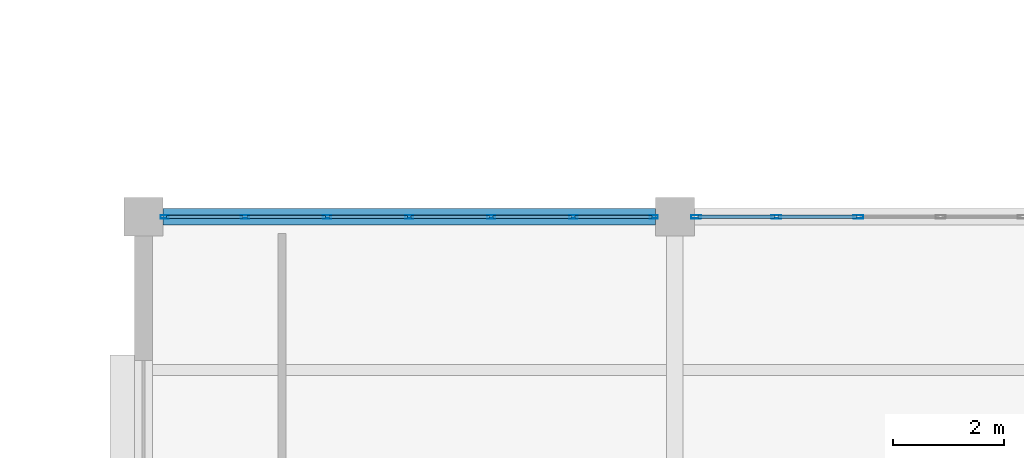
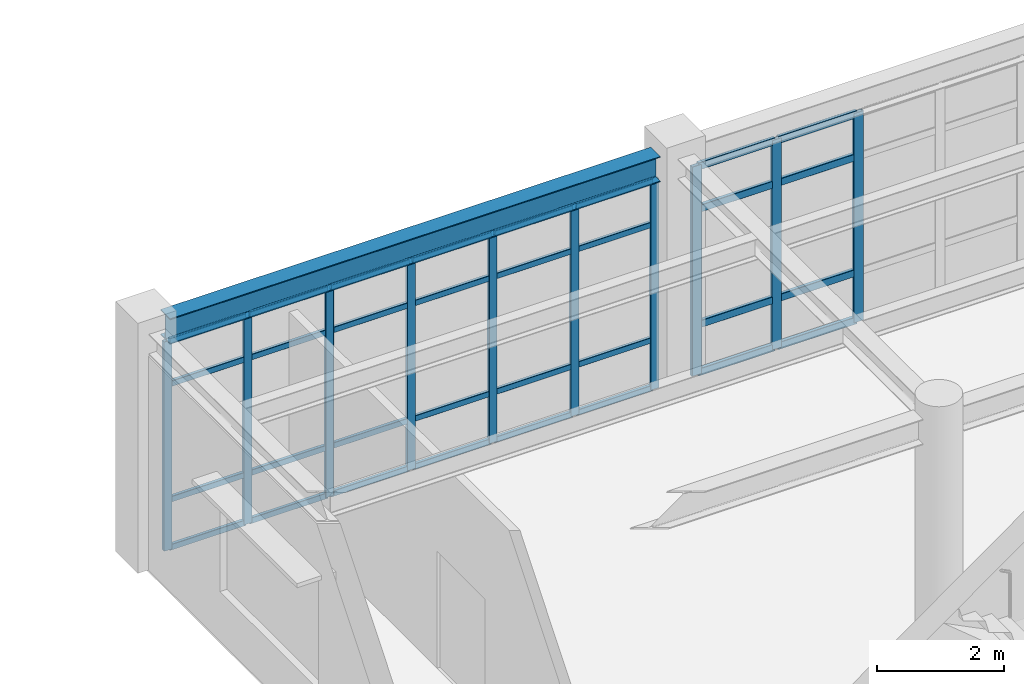
# One storey, part 61 of 98: 42 members, 1 beam, 2 elements without a shape of their own.
"""IFC4 building model written with IfcOpenShell, lengths in metres."""

from ifc_helpers import new_model, si_unit, direction, frame, origin, origin_2d, place, context, subcontext, project, spatial, hollow_rectangle, i_section, extrude, material, material_profile, profile_set, type_object, element, aggregate, save


model = new_model("IFC4")

# Units and contexts
model_context = context("Model", 3, precision=1e-05, world=origin(), true_north=direction((0.0, 1.0)))
body_context = subcontext(model_context, "Body", "Model", "MODEL_VIEW")
ifc_project = project(units=[si_unit("LENGTHUNIT", "METRE"), si_unit("AREAUNIT", "SQUARE_METRE"), si_unit("VOLUMEUNIT", "CUBIC_METRE"), si_unit("PLANEANGLEUNIT", "RADIAN"), si_unit("MASSUNIT", "GRAM", prefix="KILO")], contexts=[model_context])

# Site, building, storey
site_placement = place(None, origin())
site = spatial("IfcSite", under=ifc_project, at=site_placement, CompositionType="ELEMENT")
building_placement = place(site_placement, origin())
building = spatial("IfcBuilding", under=site, at=building_placement, Name="Canglan Escarpment Cableway Terminal", CompositionType="ELEMENT")
storey_placement = place(building_placement, frame((0.0, 0.0, 9.60009765625)))
storey = spatial("IfcBuildingStorey", under=building, at=storey_placement, Name="L02", CompositionType="ELEMENT", Elevation=9.60009765625)

# Beam
ifc_material_1 = material(Name="Steel Q355B", Category="steel")
ifc_material_profile_1 = material_profile(ifc_material_1, i_section(OverallWidth=0.300048828125, OverallDepth=0.488037109375, WebThickness=0.010986328125, FlangeThickness=0.01806640625, FilletRadius=0.02587890625, at=origin_2d()), Name="HM 488x300x11x18")
ifc_profile_set_1 = profile_set([ifc_material_profile_1], Name="Steel Q355B")
beam_type = type_object("IfcBeamType", Name="BM-HM488", PredefinedType="BEAM", material=ifc_profile_set_1)
beam_placement = place(storey_placement, frame((147.550048828125, 33.10009765625, 4.27587890625), z_axis=(1.0, 0.0, 0.0), x_axis=(0.0, 1.0, 0.0)))
element("IfcBeam", 1, at=beam_placement, inside=storey, type_object=beam_type, Name="Primary structural girder B-09", PredefinedType="BEAM", context=body_context, shape_type="SweptSolid", body=[
    extrude(i_section(OverallWidth=0.300048828125, OverallDepth=0.488037109375, WebThickness=0.010986328125, FlangeThickness=0.01806640625, FilletRadius=0.02587890625, at=origin_2d()), origin(), (0.0, 0.0, 1.0), 8.89990234375),
])

# Curtain wall, members
ifc_material_2 = material(Name="Anodized bronze aluminium and Low-E double glazing", Category="aluminium")
curtain_wall_type = type_object("IfcCurtainWallType", Name="CW-BAY-8900x4025", PredefinedType="NOTDEFINED", material=ifc_material_2)
curtain_wall_1_placement = place(storey_placement, origin())
curtain_wall_1 = element("IfcCurtainWall", 2, at=curtain_wall_1_placement, inside=storey, type_object=curtain_wall_type, Name="Classical bay-between-piers glazed curtain wall CW-28", PredefinedType="NOTDEFINED")
ifc_material_3 = material(Name="Thermally broken anodized aluminium 6063-T6", Category="aluminium")
ifc_material_profile_2 = material_profile(ifc_material_3, hollow_rectangle(XDim=0.06494140625, YDim=0.14990234375, WallThickness=0.00341796875, InnerFilletRadius=0.00341796875, OuterFilletRadius=0.007080078125, at=origin_2d()), Name="ALU-MULL 65x150x3.5")
ifc_profile_set_2 = profile_set([ifc_material_profile_2], Name="Thermally broken anodized aluminium 6063-T6")
member_type_1 = type_object("IfcMemberType", Name="CWM-02", PredefinedType="MULLION", material=ifc_profile_set_2)
member_1_placement = place(storey_placement, frame((156.41748046875, 33.10009765625, 0.0), z_axis=(0.0, 0.0, 1.0), x_axis=(0.0, -1.0, 0.0)))
member_1 = element("IfcMember", 3, at=member_1_placement, type_object=member_type_1, Name="CW-28 mullion 1", PredefinedType="MULLION", context=body_context, shape_type="SweptSolid", body=[
    extrude(hollow_rectangle(XDim=0.06494140625, YDim=0.14990234375, WallThickness=0.00341796875, InnerFilletRadius=0.00341796875, OuterFilletRadius=0.007080078125, at=origin_2d()), origin(), (0.0, 0.0, 1.0), 4.016845703125),
])
member_2_placement = place(storey_placement, frame((154.966552734375, 33.10009765625, 0.0), z_axis=(0.0, 0.0, 1.0), x_axis=(0.0, -1.0, 0.0)))
member_2 = element("IfcMember", 4, at=member_2_placement, type_object=member_type_1, Name="CW-28 mullion 2", PredefinedType="MULLION", context=body_context, shape_type="SweptSolid", body=[
    extrude(hollow_rectangle(XDim=0.06494140625, YDim=0.14990234375, WallThickness=0.00341796875, InnerFilletRadius=0.00341796875, OuterFilletRadius=0.007080078125, at=origin_2d()), origin(), (0.0, 0.0, 1.0), 4.016845703125),
])
member_3_placement = place(storey_placement, frame((153.4833984375, 33.10009765625, 0.0), z_axis=(0.0, 0.0, 1.0), x_axis=(0.0, -1.0, 0.0)))
member_3 = element("IfcMember", 5, at=member_3_placement, type_object=member_type_1, Name="CW-28 mullion 3", PredefinedType="MULLION", context=body_context, shape_type="SweptSolid", body=[
    extrude(hollow_rectangle(XDim=0.06494140625, YDim=0.14990234375, WallThickness=0.00341796875, InnerFilletRadius=0.00341796875, OuterFilletRadius=0.007080078125, at=origin_2d()), origin(), (0.0, 0.0, 1.0), 4.016845703125),
])
member_4_placement = place(storey_placement, frame((152.0, 33.10009765625, 0.0), z_axis=(0.0, 0.0, 1.0), x_axis=(0.0, -1.0, 0.0)))
member_4 = element("IfcMember", 6, at=member_4_placement, type_object=member_type_1, Name="CW-28 mullion 4", PredefinedType="MULLION", context=body_context, shape_type="SweptSolid", body=[
    extrude(hollow_rectangle(XDim=0.06494140625, YDim=0.14990234375, WallThickness=0.00341796875, InnerFilletRadius=0.00341796875, OuterFilletRadius=0.007080078125, at=origin_2d()), origin(), (0.0, 0.0, 1.0), 4.016845703125),
])
member_5_placement = place(storey_placement, frame((150.5166015625, 33.10009765625, 0.0), z_axis=(0.0, 0.0, 1.0), x_axis=(0.0, -1.0, 0.0)))
member_5 = element("IfcMember", 7, at=member_5_placement, type_object=member_type_1, Name="CW-28 mullion 5", PredefinedType="MULLION", context=body_context, shape_type="SweptSolid", body=[
    extrude(hollow_rectangle(XDim=0.06494140625, YDim=0.14990234375, WallThickness=0.00341796875, InnerFilletRadius=0.00341796875, OuterFilletRadius=0.007080078125, at=origin_2d()), origin(), (0.0, 0.0, 1.0), 4.016845703125),
])
member_6_placement = place(storey_placement, frame((149.033447265625, 33.10009765625, 0.0), z_axis=(0.0, 0.0, 1.0), x_axis=(0.0, -1.0, 0.0)))
member_6 = element("IfcMember", 8, at=member_6_placement, type_object=member_type_1, Name="CW-28 mullion 6", PredefinedType="MULLION", context=body_context, shape_type="SweptSolid", body=[
    extrude(hollow_rectangle(XDim=0.06494140625, YDim=0.14990234375, WallThickness=0.00341796875, InnerFilletRadius=0.00341796875, OuterFilletRadius=0.007080078125, at=origin_2d()), origin(), (0.0, 0.0, 1.0), 4.016845703125),
])
member_7_placement = place(storey_placement, frame((147.58251953125, 33.10009765625, 0.0), z_axis=(0.0, 0.0, 1.0), x_axis=(0.0, -1.0, 0.0)))
member_7 = element("IfcMember", 9, at=member_7_placement, type_object=member_type_1, Name="CW-28 mullion 7", PredefinedType="MULLION", context=body_context, shape_type="SweptSolid", body=[
    extrude(hollow_rectangle(XDim=0.06494140625, YDim=0.14990234375, WallThickness=0.00341796875, InnerFilletRadius=0.00341796875, OuterFilletRadius=0.007080078125, at=origin_2d()), origin(), (0.0, 0.0, 1.0), 4.016845703125),
])

curtain_wall_2_placement = place(storey_placement, origin())
curtain_wall_2 = element("IfcCurtainWall", 10, at=curtain_wall_2_placement, inside=storey, type_object=curtain_wall_type, Name="Classical bay-between-piers glazed curtain wall CW-28", PredefinedType="NOTDEFINED")
ifc_material_profile_3 = material_profile(ifc_material_3, hollow_rectangle(XDim=0.06494140625, YDim=0.179931640625, WallThickness=0.00390625, InnerFilletRadius=0.00390625, OuterFilletRadius=0.008056640625, at=origin_2d()), Name="ALU-MULL 65x180x4")
ifc_profile_set_3 = profile_set([ifc_material_profile_3], Name="Thermally broken anodized aluminium 6063-T6")
member_type_2 = type_object("IfcMemberType", Name="CWM-03", PredefinedType="MULLION", material=ifc_profile_set_3)
member_8_placement = place(storey_placement, frame((160.11669921875, 33.10009765625, 0.0), z_axis=(0.0, 0.0, 1.0), x_axis=(0.0, -1.0, 0.0)))
member_8 = element("IfcMember", 11, at=member_8_placement, type_object=member_type_2, Name="CW-28 mullion 5", PredefinedType="MULLION", context=body_context, shape_type="SweptSolid", body=[
    extrude(hollow_rectangle(XDim=0.06494140625, YDim=0.179931640625, WallThickness=0.00390625, InnerFilletRadius=0.00390625, OuterFilletRadius=0.008056640625, at=origin_2d()), origin(), (0.0, 0.0, 1.0), 4.016845703125),
])
member_9_placement = place(storey_placement, frame((158.63330078125, 33.10009765625, 0.0), z_axis=(0.0, 0.0, 1.0), x_axis=(0.0, -1.0, 0.0)))
member_9 = element("IfcMember", 12, at=member_9_placement, type_object=member_type_2, Name="CW-28 mullion 6", PredefinedType="MULLION", context=body_context, shape_type="SweptSolid", body=[
    extrude(hollow_rectangle(XDim=0.06494140625, YDim=0.179931640625, WallThickness=0.00390625, InnerFilletRadius=0.00390625, OuterFilletRadius=0.008056640625, at=origin_2d()), origin(), (0.0, 0.0, 1.0), 4.016845703125),
])
member_10_placement = place(storey_placement, frame((157.1826171875, 33.10009765625, 0.0), z_axis=(0.0, 0.0, 1.0), x_axis=(0.0, -1.0, 0.0)))
member_10 = element("IfcMember", 13, at=member_10_placement, type_object=member_type_2, Name="CW-28 mullion 7", PredefinedType="MULLION", context=body_context, shape_type="SweptSolid", body=[
    extrude(hollow_rectangle(XDim=0.06494140625, YDim=0.179931640625, WallThickness=0.00390625, InnerFilletRadius=0.00390625, OuterFilletRadius=0.008056640625, at=origin_2d()), origin(), (0.0, 0.0, 1.0), 4.016845703125),
])

# Member
ifc_material_profile_4 = material_profile(ifc_material_3, hollow_rectangle(XDim=0.06005859375, YDim=0.110107421875, WallThickness=0.0029296875, InnerFilletRadius=0.0029296875, OuterFilletRadius=0.006103515625, at=origin_2d()), Name="ALU-TRAN 60x110x3")
ifc_profile_set_4 = profile_set([ifc_material_profile_4], Name="Thermally broken anodized aluminium 6063-T6")
member_type_3 = type_object("IfcMemberType", Name="CWT-02", PredefinedType="USERDEFINED", material=ifc_profile_set_4)
member_11_placement = place(storey_placement, frame((156.385009765625, 33.10009765625, 0.02978515625), z_axis=(-1.0, 0.0, 0.0), x_axis=(0.0, -1.0, 0.0)))
member_11 = element("IfcMember", 14, at=member_11_placement, type_object=member_type_3, Name="CW-28 transom 1.1", ObjectType="TRANSOM", PredefinedType="USERDEFINED", context=body_context, shape_type="SweptSolid", body=[
    extrude(hollow_rectangle(XDim=0.06005859375, YDim=0.110107421875, WallThickness=0.0029296875, InnerFilletRadius=0.0029296875, OuterFilletRadius=0.006103515625, at=origin_2d()), origin(), (0.0, 0.0, 1.0), 1.3857421875),
])

member_12_placement = place(storey_placement, frame((156.385009765625, 33.10009765625, 0.949951171875), z_axis=(-1.0, 0.0, 0.0), x_axis=(0.0, -1.0, 0.0)))
member_12 = element("IfcMember", 15, at=member_12_placement, type_object=member_type_3, Name="CW-28 transom 1.2", ObjectType="TRANSOM", PredefinedType="USERDEFINED", context=body_context, shape_type="SweptSolid", body=[
    extrude(hollow_rectangle(XDim=0.06005859375, YDim=0.110107421875, WallThickness=0.0029296875, InnerFilletRadius=0.0029296875, OuterFilletRadius=0.006103515625, at=origin_2d()), origin(), (0.0, 0.0, 1.0), 1.3857421875),
])

member_13_placement = place(storey_placement, frame((156.385009765625, 33.10009765625, 3.1669921875), z_axis=(-1.0, 0.0, 0.0), x_axis=(0.0, -1.0, 0.0)))
member_13 = element("IfcMember", 16, at=member_13_placement, type_object=member_type_3, Name="CW-28 transom 1.3", ObjectType="TRANSOM", PredefinedType="USERDEFINED", context=body_context, shape_type="SweptSolid", body=[
    extrude(hollow_rectangle(XDim=0.06005859375, YDim=0.110107421875, WallThickness=0.0029296875, InnerFilletRadius=0.0029296875, OuterFilletRadius=0.006103515625, at=origin_2d()), origin(), (0.0, 0.0, 1.0), 1.3857421875),
])

member_14_placement = place(storey_placement, frame((156.385009765625, 33.10009765625, 3.98681640625), z_axis=(-1.0, 0.0, 0.0), x_axis=(0.0, -1.0, 0.0)))
member_14 = element("IfcMember", 17, at=member_14_placement, type_object=member_type_3, Name="CW-28 transom 1.4", ObjectType="TRANSOM", PredefinedType="USERDEFINED", context=body_context, shape_type="SweptSolid", body=[
    extrude(hollow_rectangle(XDim=0.06005859375, YDim=0.110107421875, WallThickness=0.0029296875, InnerFilletRadius=0.0029296875, OuterFilletRadius=0.006103515625, at=origin_2d()), origin(), (0.0, 0.0, 1.0), 1.3857421875),
])

member_15_placement = place(storey_placement, frame((154.93408203125, 33.10009765625, 0.02978515625), z_axis=(-1.0, 0.0, 0.0), x_axis=(0.0, -1.0, 0.0)))
member_15 = element("IfcMember", 18, at=member_15_placement, type_object=member_type_3, Name="CW-28 transom 2.1", ObjectType="TRANSOM", PredefinedType="USERDEFINED", context=body_context, shape_type="SweptSolid", body=[
    extrude(hollow_rectangle(XDim=0.06005859375, YDim=0.110107421875, WallThickness=0.0029296875, InnerFilletRadius=0.0029296875, OuterFilletRadius=0.006103515625, at=origin_2d()), origin(), (0.0, 0.0, 1.0), 1.418212890625),
])

member_16_placement = place(storey_placement, frame((154.93408203125, 33.10009765625, 0.949951171875), z_axis=(-1.0, 0.0, 0.0), x_axis=(0.0, -1.0, 0.0)))
member_16 = element("IfcMember", 19, at=member_16_placement, type_object=member_type_3, Name="CW-28 transom 2.2", ObjectType="TRANSOM", PredefinedType="USERDEFINED", context=body_context, shape_type="SweptSolid", body=[
    extrude(hollow_rectangle(XDim=0.06005859375, YDim=0.110107421875, WallThickness=0.0029296875, InnerFilletRadius=0.0029296875, OuterFilletRadius=0.006103515625, at=origin_2d()), origin(), (0.0, 0.0, 1.0), 1.418212890625),
])

member_17_placement = place(storey_placement, frame((154.93408203125, 33.10009765625, 3.1669921875), z_axis=(-1.0, 0.0, 0.0), x_axis=(0.0, -1.0, 0.0)))
member_17 = element("IfcMember", 20, at=member_17_placement, type_object=member_type_3, Name="CW-28 transom 2.3", ObjectType="TRANSOM", PredefinedType="USERDEFINED", context=body_context, shape_type="SweptSolid", body=[
    extrude(hollow_rectangle(XDim=0.06005859375, YDim=0.110107421875, WallThickness=0.0029296875, InnerFilletRadius=0.0029296875, OuterFilletRadius=0.006103515625, at=origin_2d()), origin(), (0.0, 0.0, 1.0), 1.418212890625),
])

member_18_placement = place(storey_placement, frame((154.93408203125, 33.10009765625, 3.98681640625), z_axis=(-1.0, 0.0, 0.0), x_axis=(0.0, -1.0, 0.0)))
member_18 = element("IfcMember", 21, at=member_18_placement, type_object=member_type_3, Name="CW-28 transom 2.4", ObjectType="TRANSOM", PredefinedType="USERDEFINED", context=body_context, shape_type="SweptSolid", body=[
    extrude(hollow_rectangle(XDim=0.06005859375, YDim=0.110107421875, WallThickness=0.0029296875, InnerFilletRadius=0.0029296875, OuterFilletRadius=0.006103515625, at=origin_2d()), origin(), (0.0, 0.0, 1.0), 1.418212890625),
])

member_19_placement = place(storey_placement, frame((153.450927734375, 33.10009765625, 0.02978515625), z_axis=(-1.0, 0.0, 0.0), x_axis=(0.0, -1.0, 0.0)))
member_19 = element("IfcMember", 22, at=member_19_placement, type_object=member_type_3, Name="CW-28 transom 3.1", ObjectType="TRANSOM", PredefinedType="USERDEFINED", context=body_context, shape_type="SweptSolid", body=[
    extrude(hollow_rectangle(XDim=0.06005859375, YDim=0.110107421875, WallThickness=0.0029296875, InnerFilletRadius=0.0029296875, OuterFilletRadius=0.006103515625, at=origin_2d()), origin(), (0.0, 0.0, 1.0), 1.41845703125),
])

member_20_placement = place(storey_placement, frame((153.450927734375, 33.10009765625, 0.949951171875), z_axis=(-1.0, 0.0, 0.0), x_axis=(0.0, -1.0, 0.0)))
member_20 = element("IfcMember", 23, at=member_20_placement, type_object=member_type_3, Name="CW-28 transom 3.2", ObjectType="TRANSOM", PredefinedType="USERDEFINED", context=body_context, shape_type="SweptSolid", body=[
    extrude(hollow_rectangle(XDim=0.06005859375, YDim=0.110107421875, WallThickness=0.0029296875, InnerFilletRadius=0.0029296875, OuterFilletRadius=0.006103515625, at=origin_2d()), origin(), (0.0, 0.0, 1.0), 1.41845703125),
])

member_21_placement = place(storey_placement, frame((153.450927734375, 33.10009765625, 3.1669921875), z_axis=(-1.0, 0.0, 0.0), x_axis=(0.0, -1.0, 0.0)))
member_21 = element("IfcMember", 24, at=member_21_placement, type_object=member_type_3, Name="CW-28 transom 3.3", ObjectType="TRANSOM", PredefinedType="USERDEFINED", context=body_context, shape_type="SweptSolid", body=[
    extrude(hollow_rectangle(XDim=0.06005859375, YDim=0.110107421875, WallThickness=0.0029296875, InnerFilletRadius=0.0029296875, OuterFilletRadius=0.006103515625, at=origin_2d()), origin(), (0.0, 0.0, 1.0), 1.41845703125),
])

member_22_placement = place(storey_placement, frame((153.450927734375, 33.10009765625, 3.98681640625), z_axis=(-1.0, 0.0, 0.0), x_axis=(0.0, -1.0, 0.0)))
member_22 = element("IfcMember", 25, at=member_22_placement, type_object=member_type_3, Name="CW-28 transom 3.4", ObjectType="TRANSOM", PredefinedType="USERDEFINED", context=body_context, shape_type="SweptSolid", body=[
    extrude(hollow_rectangle(XDim=0.06005859375, YDim=0.110107421875, WallThickness=0.0029296875, InnerFilletRadius=0.0029296875, OuterFilletRadius=0.006103515625, at=origin_2d()), origin(), (0.0, 0.0, 1.0), 1.41845703125),
])

member_23_placement = place(storey_placement, frame((151.967529296875, 33.10009765625, 0.02978515625), z_axis=(-1.0, 0.0, 0.0), x_axis=(0.0, -1.0, 0.0)))
member_23 = element("IfcMember", 26, at=member_23_placement, type_object=member_type_3, Name="CW-28 transom 4.1", ObjectType="TRANSOM", PredefinedType="USERDEFINED", context=body_context, shape_type="SweptSolid", body=[
    extrude(hollow_rectangle(XDim=0.06005859375, YDim=0.110107421875, WallThickness=0.0029296875, InnerFilletRadius=0.0029296875, OuterFilletRadius=0.006103515625, at=origin_2d()), origin(), (0.0, 0.0, 1.0), 1.41845703125),
])

member_24_placement = place(storey_placement, frame((151.967529296875, 33.10009765625, 0.949951171875), z_axis=(-1.0, 0.0, 0.0), x_axis=(0.0, -1.0, 0.0)))
member_24 = element("IfcMember", 27, at=member_24_placement, type_object=member_type_3, Name="CW-28 transom 4.2", ObjectType="TRANSOM", PredefinedType="USERDEFINED", context=body_context, shape_type="SweptSolid", body=[
    extrude(hollow_rectangle(XDim=0.06005859375, YDim=0.110107421875, WallThickness=0.0029296875, InnerFilletRadius=0.0029296875, OuterFilletRadius=0.006103515625, at=origin_2d()), origin(), (0.0, 0.0, 1.0), 1.41845703125),
])

member_25_placement = place(storey_placement, frame((151.967529296875, 33.10009765625, 3.1669921875), z_axis=(-1.0, 0.0, 0.0), x_axis=(0.0, -1.0, 0.0)))
member_25 = element("IfcMember", 28, at=member_25_placement, type_object=member_type_3, Name="CW-28 transom 4.3", ObjectType="TRANSOM", PredefinedType="USERDEFINED", context=body_context, shape_type="SweptSolid", body=[
    extrude(hollow_rectangle(XDim=0.06005859375, YDim=0.110107421875, WallThickness=0.0029296875, InnerFilletRadius=0.0029296875, OuterFilletRadius=0.006103515625, at=origin_2d()), origin(), (0.0, 0.0, 1.0), 1.41845703125),
])

member_26_placement = place(storey_placement, frame((151.967529296875, 33.10009765625, 3.98681640625), z_axis=(-1.0, 0.0, 0.0), x_axis=(0.0, -1.0, 0.0)))
member_26 = element("IfcMember", 29, at=member_26_placement, type_object=member_type_3, Name="CW-28 transom 4.4", ObjectType="TRANSOM", PredefinedType="USERDEFINED", context=body_context, shape_type="SweptSolid", body=[
    extrude(hollow_rectangle(XDim=0.06005859375, YDim=0.110107421875, WallThickness=0.0029296875, InnerFilletRadius=0.0029296875, OuterFilletRadius=0.006103515625, at=origin_2d()), origin(), (0.0, 0.0, 1.0), 1.41845703125),
])

member_27_placement = place(storey_placement, frame((150.484130859375, 33.10009765625, 0.02978515625), z_axis=(-1.0, 0.0, 0.0), x_axis=(0.0, -1.0, 0.0)))
member_27 = element("IfcMember", 30, at=member_27_placement, type_object=member_type_3, Name="CW-28 transom 5.1", ObjectType="TRANSOM", PredefinedType="USERDEFINED", context=body_context, shape_type="SweptSolid", body=[
    extrude(hollow_rectangle(XDim=0.06005859375, YDim=0.110107421875, WallThickness=0.0029296875, InnerFilletRadius=0.0029296875, OuterFilletRadius=0.006103515625, at=origin_2d()), origin(), (0.0, 0.0, 1.0), 1.418212890625),
])

member_28_placement = place(storey_placement, frame((150.484130859375, 33.10009765625, 0.949951171875), z_axis=(-1.0, 0.0, 0.0), x_axis=(0.0, -1.0, 0.0)))
member_28 = element("IfcMember", 31, at=member_28_placement, type_object=member_type_3, Name="CW-28 transom 5.2", ObjectType="TRANSOM", PredefinedType="USERDEFINED", context=body_context, shape_type="SweptSolid", body=[
    extrude(hollow_rectangle(XDim=0.06005859375, YDim=0.110107421875, WallThickness=0.0029296875, InnerFilletRadius=0.0029296875, OuterFilletRadius=0.006103515625, at=origin_2d()), origin(), (0.0, 0.0, 1.0), 1.418212890625),
])

member_29_placement = place(storey_placement, frame((150.484130859375, 33.10009765625, 3.1669921875), z_axis=(-1.0, 0.0, 0.0), x_axis=(0.0, -1.0, 0.0)))
member_29 = element("IfcMember", 32, at=member_29_placement, type_object=member_type_3, Name="CW-28 transom 5.3", ObjectType="TRANSOM", PredefinedType="USERDEFINED", context=body_context, shape_type="SweptSolid", body=[
    extrude(hollow_rectangle(XDim=0.06005859375, YDim=0.110107421875, WallThickness=0.0029296875, InnerFilletRadius=0.0029296875, OuterFilletRadius=0.006103515625, at=origin_2d()), origin(), (0.0, 0.0, 1.0), 1.418212890625),
])

member_30_placement = place(storey_placement, frame((150.484130859375, 33.10009765625, 3.98681640625), z_axis=(-1.0, 0.0, 0.0), x_axis=(0.0, -1.0, 0.0)))
member_30 = element("IfcMember", 33, at=member_30_placement, type_object=member_type_3, Name="CW-28 transom 5.4", ObjectType="TRANSOM", PredefinedType="USERDEFINED", context=body_context, shape_type="SweptSolid", body=[
    extrude(hollow_rectangle(XDim=0.06005859375, YDim=0.110107421875, WallThickness=0.0029296875, InnerFilletRadius=0.0029296875, OuterFilletRadius=0.006103515625, at=origin_2d()), origin(), (0.0, 0.0, 1.0), 1.418212890625),
])

member_31_placement = place(storey_placement, frame((149.000732421875, 33.10009765625, 0.02978515625), z_axis=(-1.0, 0.0, 0.0), x_axis=(0.0, -1.0, 0.0)))
member_31 = element("IfcMember", 34, at=member_31_placement, type_object=member_type_3, Name="CW-28 transom 6.1", ObjectType="TRANSOM", PredefinedType="USERDEFINED", context=body_context, shape_type="SweptSolid", body=[
    extrude(hollow_rectangle(XDim=0.06005859375, YDim=0.110107421875, WallThickness=0.0029296875, InnerFilletRadius=0.0029296875, OuterFilletRadius=0.006103515625, at=origin_2d()), origin(), (0.0, 0.0, 1.0), 1.3857421875),
])

member_32_placement = place(storey_placement, frame((149.000732421875, 33.10009765625, 0.949951171875), z_axis=(-1.0, 0.0, 0.0), x_axis=(0.0, -1.0, 0.0)))
member_32 = element("IfcMember", 35, at=member_32_placement, type_object=member_type_3, Name="CW-28 transom 6.2", ObjectType="TRANSOM", PredefinedType="USERDEFINED", context=body_context, shape_type="SweptSolid", body=[
    extrude(hollow_rectangle(XDim=0.06005859375, YDim=0.110107421875, WallThickness=0.0029296875, InnerFilletRadius=0.0029296875, OuterFilletRadius=0.006103515625, at=origin_2d()), origin(), (0.0, 0.0, 1.0), 1.3857421875),
])

member_33_placement = place(storey_placement, frame((149.000732421875, 33.10009765625, 3.1669921875), z_axis=(-1.0, 0.0, 0.0), x_axis=(0.0, -1.0, 0.0)))
member_33 = element("IfcMember", 36, at=member_33_placement, type_object=member_type_3, Name="CW-28 transom 6.3", ObjectType="TRANSOM", PredefinedType="USERDEFINED", context=body_context, shape_type="SweptSolid", body=[
    extrude(hollow_rectangle(XDim=0.06005859375, YDim=0.110107421875, WallThickness=0.0029296875, InnerFilletRadius=0.0029296875, OuterFilletRadius=0.006103515625, at=origin_2d()), origin(), (0.0, 0.0, 1.0), 1.3857421875),
])

member_34_placement = place(storey_placement, frame((149.000732421875, 33.10009765625, 3.98681640625), z_axis=(-1.0, 0.0, 0.0), x_axis=(0.0, -1.0, 0.0)))
member_34 = element("IfcMember", 37, at=member_34_placement, type_object=member_type_3, Name="CW-28 transom 6.4", ObjectType="TRANSOM", PredefinedType="USERDEFINED", context=body_context, shape_type="SweptSolid", body=[
    extrude(hollow_rectangle(XDim=0.06005859375, YDim=0.110107421875, WallThickness=0.0029296875, InnerFilletRadius=0.0029296875, OuterFilletRadius=0.006103515625, at=origin_2d()), origin(), (0.0, 0.0, 1.0), 1.3857421875),
])

aggregate(curtain_wall_1, [member_1, member_2, member_3, member_4, member_5, member_6, member_7, member_11, member_12, member_13, member_14, member_15, member_16, member_17, member_18, member_19, member_20, member_21, member_22, member_23, member_24, member_25, member_26, member_27, member_28, member_29, member_30, member_31, member_32, member_33, member_34])

ifc_material_profile_5 = material_profile(ifc_material_3, hollow_rectangle(XDim=0.06494140625, YDim=0.139892578125, WallThickness=0.00341796875, InnerFilletRadius=0.00341796875, OuterFilletRadius=0.007080078125, at=origin_2d()), Name="ALU-TRAN 65x140x3.5")
ifc_profile_set_5 = profile_set([ifc_material_profile_5], Name="Thermally broken anodized aluminium 6063-T6")
member_type_4 = type_object("IfcMemberType", Name="CWT-03", PredefinedType="USERDEFINED", material=ifc_profile_set_5)
member_35_placement = place(storey_placement, frame((160.084228515625, 33.10009765625, 0.032470703125), z_axis=(-1.0, 0.0, 0.0), x_axis=(0.0, -1.0, 0.0)))
member_35 = element("IfcMember", 38, at=member_35_placement, type_object=member_type_4, Name="CW-28 transom 5.1", ObjectType="TRANSOM", PredefinedType="USERDEFINED", context=body_context, shape_type="SweptSolid", body=[
    extrude(hollow_rectangle(XDim=0.06494140625, YDim=0.139892578125, WallThickness=0.00341796875, InnerFilletRadius=0.00341796875, OuterFilletRadius=0.007080078125, at=origin_2d()), origin(), (0.0, 0.0, 1.0), 1.41845703125),
])

member_36_placement = place(storey_placement, frame((160.084228515625, 33.10009765625, 0.949951171875), z_axis=(-1.0, 0.0, 0.0), x_axis=(0.0, -1.0, 0.0)))
member_36 = element("IfcMember", 39, at=member_36_placement, type_object=member_type_4, Name="CW-28 transom 5.2", ObjectType="TRANSOM", PredefinedType="USERDEFINED", context=body_context, shape_type="SweptSolid", body=[
    extrude(hollow_rectangle(XDim=0.06494140625, YDim=0.139892578125, WallThickness=0.00341796875, InnerFilletRadius=0.00341796875, OuterFilletRadius=0.007080078125, at=origin_2d()), origin(), (0.0, 0.0, 1.0), 1.41845703125),
])

member_37_placement = place(storey_placement, frame((160.084228515625, 33.10009765625, 3.1669921875), z_axis=(-1.0, 0.0, 0.0), x_axis=(0.0, -1.0, 0.0)))
member_37 = element("IfcMember", 40, at=member_37_placement, type_object=member_type_4, Name="CW-28 transom 5.3", ObjectType="TRANSOM", PredefinedType="USERDEFINED", context=body_context, shape_type="SweptSolid", body=[
    extrude(hollow_rectangle(XDim=0.06494140625, YDim=0.139892578125, WallThickness=0.00341796875, InnerFilletRadius=0.00341796875, OuterFilletRadius=0.007080078125, at=origin_2d()), origin(), (0.0, 0.0, 1.0), 1.41845703125),
])

member_38_placement = place(storey_placement, frame((160.084228515625, 33.10009765625, 3.984375), z_axis=(-1.0, 0.0, 0.0), x_axis=(0.0, -1.0, 0.0)))
member_38 = element("IfcMember", 41, at=member_38_placement, type_object=member_type_4, Name="CW-28 transom 5.4", ObjectType="TRANSOM", PredefinedType="USERDEFINED", context=body_context, shape_type="SweptSolid", body=[
    extrude(hollow_rectangle(XDim=0.06494140625, YDim=0.139892578125, WallThickness=0.00341796875, InnerFilletRadius=0.00341796875, OuterFilletRadius=0.007080078125, at=origin_2d()), origin(), (0.0, 0.0, 1.0), 1.41845703125),
])

member_39_placement = place(storey_placement, frame((158.600830078125, 33.10009765625, 0.032470703125), z_axis=(-1.0, 0.0, 0.0), x_axis=(0.0, -1.0, 0.0)))
member_39 = element("IfcMember", 42, at=member_39_placement, type_object=member_type_4, Name="CW-28 transom 6.1", ObjectType="TRANSOM", PredefinedType="USERDEFINED", context=body_context, shape_type="SweptSolid", body=[
    extrude(hollow_rectangle(XDim=0.06494140625, YDim=0.139892578125, WallThickness=0.00341796875, InnerFilletRadius=0.00341796875, OuterFilletRadius=0.007080078125, at=origin_2d()), origin(), (0.0, 0.0, 1.0), 1.3857421875),
])

member_40_placement = place(storey_placement, frame((158.600830078125, 33.10009765625, 0.949951171875), z_axis=(-1.0, 0.0, 0.0), x_axis=(0.0, -1.0, 0.0)))
member_40 = element("IfcMember", 43, at=member_40_placement, type_object=member_type_4, Name="CW-28 transom 6.2", ObjectType="TRANSOM", PredefinedType="USERDEFINED", context=body_context, shape_type="SweptSolid", body=[
    extrude(hollow_rectangle(XDim=0.06494140625, YDim=0.139892578125, WallThickness=0.00341796875, InnerFilletRadius=0.00341796875, OuterFilletRadius=0.007080078125, at=origin_2d()), origin(), (0.0, 0.0, 1.0), 1.3857421875),
])

member_41_placement = place(storey_placement, frame((158.600830078125, 33.10009765625, 3.1669921875), z_axis=(-1.0, 0.0, 0.0), x_axis=(0.0, -1.0, 0.0)))
member_41 = element("IfcMember", 44, at=member_41_placement, type_object=member_type_4, Name="CW-28 transom 6.3", ObjectType="TRANSOM", PredefinedType="USERDEFINED", context=body_context, shape_type="SweptSolid", body=[
    extrude(hollow_rectangle(XDim=0.06494140625, YDim=0.139892578125, WallThickness=0.00341796875, InnerFilletRadius=0.00341796875, OuterFilletRadius=0.007080078125, at=origin_2d()), origin(), (0.0, 0.0, 1.0), 1.3857421875),
])

member_42_placement = place(storey_placement, frame((158.600830078125, 33.10009765625, 3.984375), z_axis=(-1.0, 0.0, 0.0), x_axis=(0.0, -1.0, 0.0)))
member_42 = element("IfcMember", 45, at=member_42_placement, type_object=member_type_4, Name="CW-28 transom 6.4", ObjectType="TRANSOM", PredefinedType="USERDEFINED", context=body_context, shape_type="SweptSolid", body=[
    extrude(hollow_rectangle(XDim=0.06494140625, YDim=0.139892578125, WallThickness=0.00341796875, InnerFilletRadius=0.00341796875, OuterFilletRadius=0.007080078125, at=origin_2d()), origin(), (0.0, 0.0, 1.0), 1.3857421875),
])

aggregate(curtain_wall_2, [member_8, member_9, member_10, member_35, member_36, member_37, member_38, member_39, member_40, member_41, member_42])

save(model, "model.ifc")
